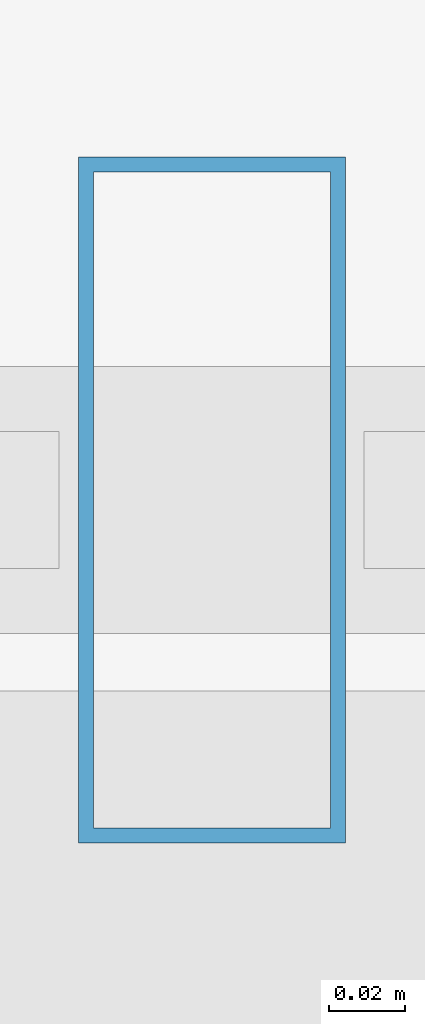
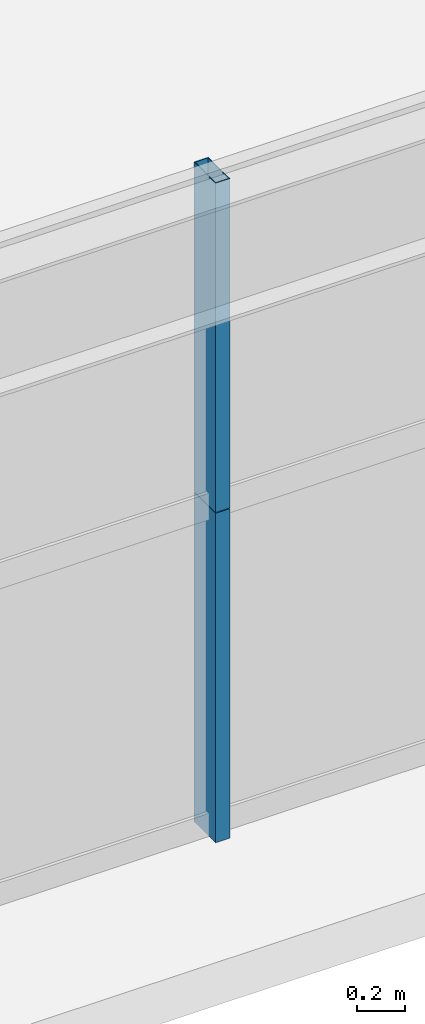
# One storey, part 13 of 43: 2 members, 1 element without a shape of its own.
"""IFC4 building model written with IfcOpenShell, lengths in metres."""

from ifc_helpers import new_model, si_unit, direction, frame, origin, origin_2d, place, context, subcontext, project, spatial, hollow_rectangle, extrude, source, transform, mapped, material, layer, layer_set, material_profile, profile_set, type_object, element, aggregate, save


model = new_model("IFC4")

# Units and contexts
model_context = context("Model", 3, precision=1e-05, world=origin(), true_north=direction((0.0, 1.0)))
body_context = subcontext(model_context, "Body", "Model", "MODEL_VIEW")
ifc_project = project(units=[si_unit("LENGTHUNIT", "METRE"), si_unit("AREAUNIT", "SQUARE_METRE"), si_unit("VOLUMEUNIT", "CUBIC_METRE"), si_unit("PLANEANGLEUNIT", "RADIAN"), si_unit("MASSUNIT", "GRAM", prefix="KILO"), si_unit("THERMODYNAMICTEMPERATUREUNIT", "KELVIN"), si_unit("POWERUNIT", "WATT")], contexts=[model_context])

# Site, building, storey
site_placement = place(None, origin())
site = spatial("IfcSite", under=ifc_project, at=site_placement, CompositionType="ELEMENT")
building_placement = place(site_placement, origin())
building = spatial("IfcBuilding", under=site, at=building_placement, Name="Yuzanri Waterfront Tower", CompositionType="ELEMENT")
storey_placement = place(building_placement, frame((0.0, 0.0, 67.60009765625)))
storey = spatial("IfcBuildingStorey", under=building, at=storey_placement, Name="L17", CompositionType="ELEMENT", Elevation=67.60009765625)

# Curtain wall, members
ifc_material_1 = material(Name="Anodized Architectural Bronze", Category="metal")
ifc_layer = layer(ifc_material_1, 0.159912109375)
ifc_layer_set = layer_set([ifc_layer], Name="Anodized Architectural Bronze")
curtain_wall_type = type_object("IfcCurtainWallType", Name="Anodized Bronze Hotel Lower-Tier Recessed Unitized Curtain Wall 8100", PredefinedType="NOTDEFINED", material=ifc_layer_set)
curtain_wall_placement = place(storey_placement, origin())
curtain_wall = element("IfcCurtainWall", 1, at=curtain_wall_placement, inside=storey, type_object=curtain_wall_type, Name="L17 Curtain Wall CW-L17-SR", PredefinedType="NOTDEFINED")
ifc_material_2 = material(Name="Anodized Architectural Bronze", Category="metal")
ifc_material_profile = material_profile(ifc_material_2, hollow_rectangle(XDim=0.070068359375, YDim=0.179931640625, WallThickness=0.00390625, at=origin_2d()), Name="CWM 70x180")
ifc_profile_set = profile_set([ifc_material_profile], Name="Anodized Architectural Bronze")
member_type = type_object("IfcMemberType", Name="Anodized Bronze Standard Curtain-Wall Mullion 70x180", PredefinedType="MULLION", material=ifc_profile_set)
shared_shape = source(origin(), body_context, "Body", "SweptSolid", [
    extrude(hollow_rectangle(XDim=0.070068359375, YDim=0.179931640625, WallThickness=0.00390625, at=origin_2d()), origin(), (0.0, 0.0, 1.0), 1.68798828125),
])
member_1_placement = place(storey_placement, frame((46.10009765625, 0.85009765625, 0.0), z_axis=(0.0, 0.0, 1.0), x_axis=(1.0, 0.0, 0.0)))
member_1 = element("IfcMember", 2, at=member_1_placement, type_object=member_type, Name="CW-L17-SR Lower Mullion 01", PredefinedType="MULLION", context=body_context, shape_type="MappedRepresentation", body=[
    mapped(shared_shape, transform((0.0, 0.0, 0.0), scale=1.0)),
])
member_2_placement = place(storey_placement, frame((46.10009765625, 0.85009765625, 1.69189453125), z_axis=(0.0, 0.0, 1.0), x_axis=(1.0, 0.0, 0.0)))
member_2 = element("IfcMember", 3, at=member_2_placement, type_object=member_type, Name="CW-L17-SR Upper Mullion 01", PredefinedType="MULLION", context=body_context, shape_type="MappedRepresentation", body=[
    mapped(shared_shape, transform((0.0, 0.0, 0.0), scale=1.0)),
])
aggregate(curtain_wall, [member_1, member_2])

save(model, "model.ifc")
